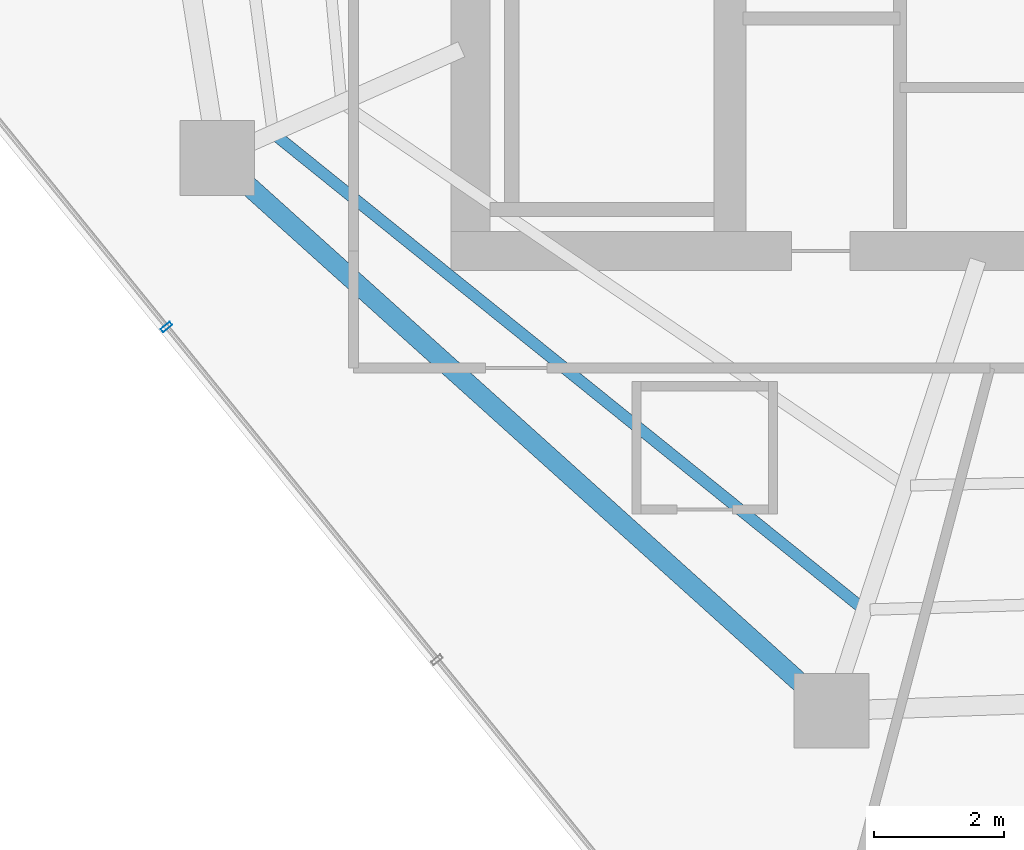
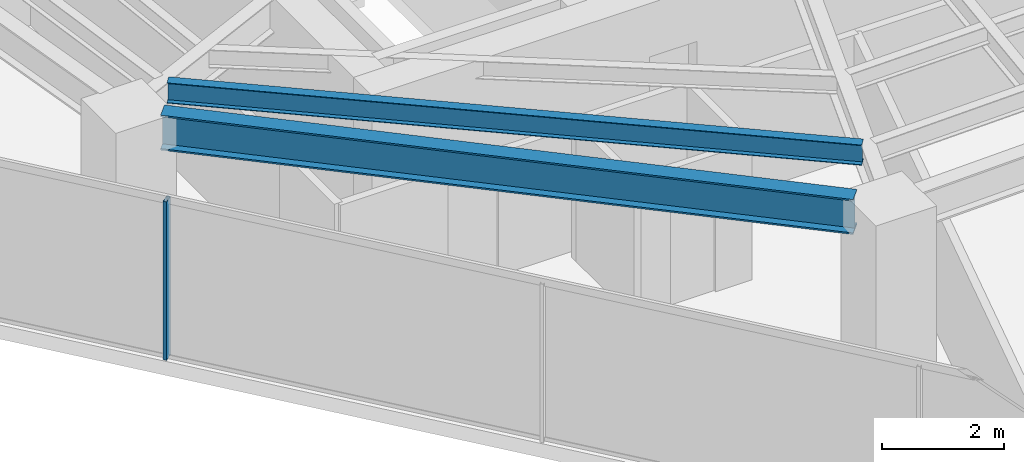
# One storey, part 4 of 27: 2 beams, 1 member, 1 element without a shape of its own.
"""IFC4 building model written with IfcOpenShell, lengths in metres."""

from ifc_helpers import new_model, si_unit, direction, frame, origin, origin_2d, place, context, subcontext, project, spatial, hollow_rectangle, i_section, extrude, material, layer, layer_set, material_profile, profile_set, type_object, element, aggregate, save


model = new_model("IFC4")

# Units and contexts
model_context = context("Model", 3, precision=1e-05, world=origin(), true_north=direction((0.0, 1.0)))
body_context = subcontext(model_context, "Body", "Model", "MODEL_VIEW")
ifc_project = project(units=[si_unit("LENGTHUNIT", "METRE"), si_unit("AREAUNIT", "SQUARE_METRE"), si_unit("VOLUMEUNIT", "CUBIC_METRE"), si_unit("PLANEANGLEUNIT", "RADIAN"), si_unit("MASSUNIT", "GRAM", prefix="KILO")], contexts=[model_context])

# Site, building, storey
site_placement = place(None, origin())
site = spatial("IfcSite", under=ifc_project, at=site_placement, CompositionType="ELEMENT")
building_placement = place(site_placement, origin())
building = spatial("IfcBuilding", under=site, at=building_placement, Name="Qarnah Convention Tower", CompositionType="ELEMENT")
storey_placement = place(building_placement, frame((0.0, 0.0, 100.5)))
storey = spatial("IfcBuildingStorey", under=building, at=storey_placement, Name="L26", CompositionType="ELEMENT", Elevation=100.5)

# Beams
ifc_material_1 = material(Name="Structural steel S355JR", Category="steel")
ifc_material_profile_1 = material_profile(ifc_material_1, i_section(OverallWidth=0.177978515625, OverallDepth=0.407958984375, WebThickness=0.008056640625, FlangeThickness=0.012939453125, at=origin_2d()), Name="W410X60")
ifc_profile_set_1 = profile_set([ifc_material_profile_1], Name="Structural steel S355JR")
beam_type_1 = type_object("IfcBeamType", Name="BM-JST-W410", PredefinedType="JOIST", material=ifc_profile_set_1)
beam_1_placement = place(storey_placement, frame((23.830078125, 20.361083984375, 2.966064453125), z_axis=(0.77852525416, -0.627613279524, 0.0), x_axis=(0.627613279524, 0.77852525416, 0.0)))
element("IfcBeam", 1, at=beam_1_placement, inside=storey, type_object=beam_type_1, Name="L26 joist BM-L26-SJST-06", PredefinedType="JOIST", context=body_context, shape_type="SweptSolid", body=[
    extrude(i_section(OverallWidth=0.177978515625, OverallDepth=0.407958984375, WebThickness=0.008056640625, FlangeThickness=0.012939453125, at=origin_2d()), origin(), (0.0, 0.0, 1.0), 11.521728515625),
])
ifc_material_profile_2 = material_profile(ifc_material_1, i_section(OverallWidth=0.300048828125, OverallDepth=0.699951171875, WebThickness=0.01708984375, FlangeThickness=0.031982421875, at=origin_2d()), Name="HEB700")
ifc_profile_set_2 = profile_set([ifc_material_profile_2], Name="Structural steel S355JR")
beam_type_2 = type_object("IfcBeamType", Name="BM-RING-HEB700", PredefinedType="BEAM", material=ifc_profile_set_2)
beam_2_placement = place(storey_placement, frame((23.322998046875, 19.656982421875, 2.820068359375), z_axis=(0.743124603424, -0.669153064541, 0.0), x_axis=(0.669153064541, 0.743124603424, 0.0)))
element("IfcBeam", 2, at=beam_2_placement, inside=storey, type_object=beam_type_2, Name="L26 beam BM-L26-SPN-06", PredefinedType="BEAM", context=body_context, shape_type="SweptSolid", body=[
    extrude(i_section(OverallWidth=0.300048828125, OverallDepth=0.699951171875, WebThickness=0.01708984375, FlangeThickness=0.031982421875, at=origin_2d()), origin(), (0.0, 0.0, 1.0), 11.60107421875),
])

# Curtain wall, member
ifc_material_2 = material(Name="Tempered Low-E dark glass", Category="glass")
ifc_layer = layer(ifc_material_2, 0.169921875)
ifc_layer_set = layer_set([ifc_layer], Name="Tempered Low-E dark glass")
curtain_wall_type = type_object("IfcCurtainWallType", Name="CWS-02", PredefinedType="NOTDEFINED", material=ifc_layer_set)
curtain_wall_placement = place(storey_placement, origin())
curtain_wall = element("IfcCurtainWall", 3, at=curtain_wall_placement, inside=storey, type_object=curtain_wall_type, Name="L26 unitised curtain wall CW-L26-F2", PredefinedType="NOTDEFINED")
ifc_material_3 = material(Name="Black anodised aluminium", Category="aluminium")
ifc_material_profile_3 = material_profile(ifc_material_3, hollow_rectangle(XDim=0.06494140625, YDim=0.179931640625, WallThickness=0.00390625, at=origin_2d()), Name="MUL-65X180")
ifc_profile_set_3 = profile_set([ifc_material_profile_3], Name="Black anodised aluminium")
member_type = type_object("IfcMemberType", Name="MUL-T2", PredefinedType="MULLION", material=ifc_profile_set_3)
member_placement = place(storey_placement, frame((22.118408203125, 17.430908203125, 0.0), z_axis=(0.0, 0.0, 1.0), x_axis=(-0.630942367883, 0.775829703227, 0.0)))
member = element("IfcMember", 4, at=member_placement, type_object=member_type, Name="CW-L26-F2 mullion 4", PredefinedType="MULLION", context=body_context, shape_type="SweptSolid", body=[
    extrude(hollow_rectangle(XDim=0.06494140625, YDim=0.179931640625, WallThickness=0.00390625, at=origin_2d()), origin(), (0.0, 0.0, 1.0), 3.169921875),
])
aggregate(curtain_wall, [member])

save(model, "model.ifc")
